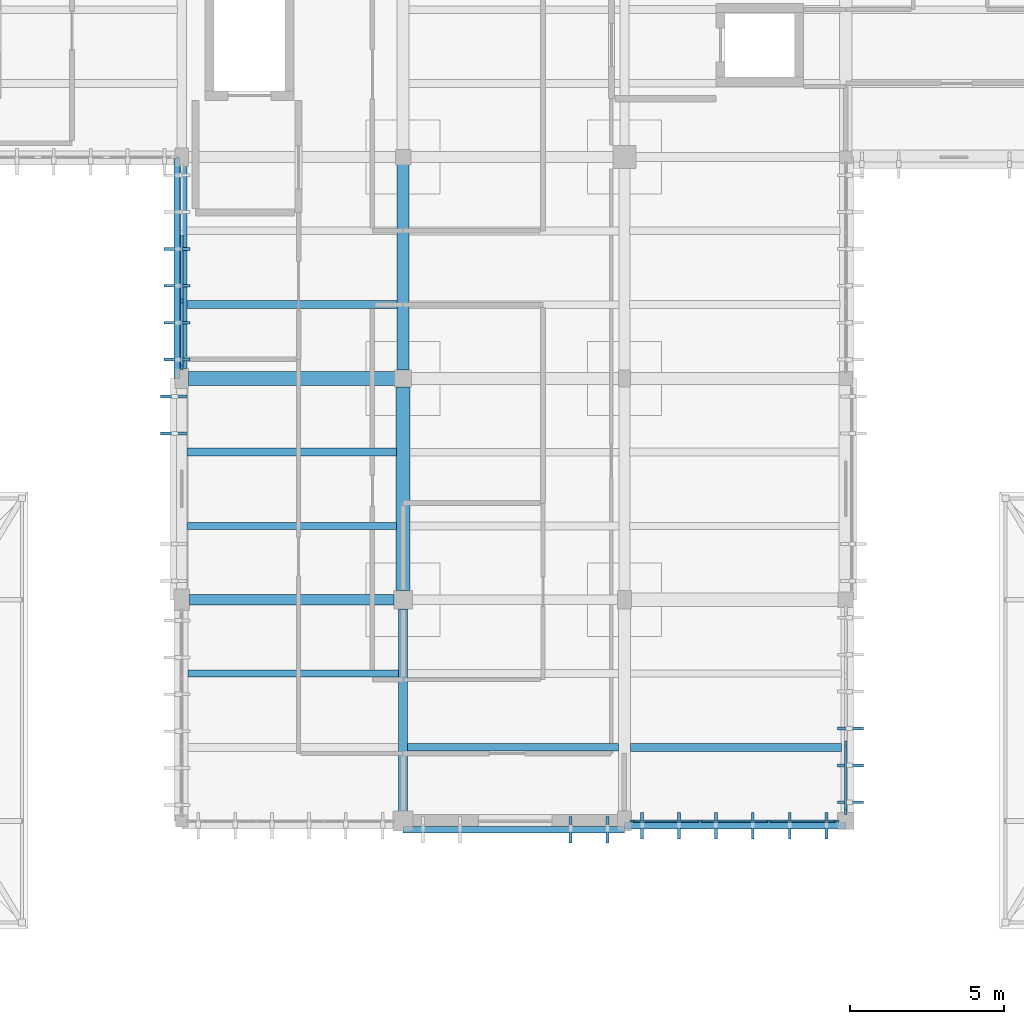
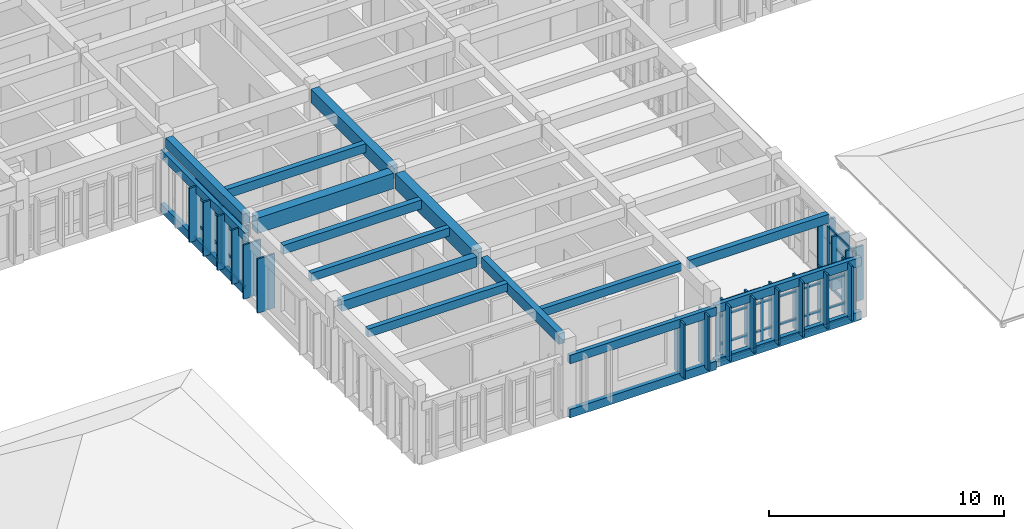
# One storey, part 6 of 51: 49 members, 18 beams, 3 elements without a shape of their own.
"""IFC4 building model written with IfcOpenShell, lengths in metres."""

from ifc_helpers import new_model, si_unit, direction, frame, origin, origin_2d, place, context, subcontext, project, spatial, rectangle, extrude, material, material_profile, profile_set, type_object, element, aggregate, save


model = new_model("IFC4")

# Units and contexts
model_context = context("Model", 3, precision=1e-05, world=origin(), true_north=direction((0.0, 1.0)))
body_context = subcontext(model_context, "Body", "Model", "MODEL_VIEW")
ifc_project = project(units=[si_unit("LENGTHUNIT", "METRE"), si_unit("AREAUNIT", "SQUARE_METRE"), si_unit("VOLUMEUNIT", "CUBIC_METRE"), si_unit("PLANEANGLEUNIT", "RADIAN"), si_unit("MASSUNIT", "GRAM", prefix="KILO")], contexts=[model_context])

# Site, building, storey
site_placement = place(None, origin())
site = spatial("IfcSite", under=ifc_project, at=site_placement, CompositionType="ELEMENT")
building_placement = place(site_placement, origin())
building = spatial("IfcBuilding", under=site, at=building_placement, Name="Steenspoor Specialist Clinic", CompositionType="ELEMENT")
storey_placement = place(building_placement, frame((0.0, 0.0, 17.39990234375)))
storey = spatial("IfcBuildingStorey", under=building, at=storey_placement, Name="L04", CompositionType="ELEMENT", Elevation=17.39990234375)

# Beams
ifc_material_1 = material(Name="Glulam GL28h", Category="wood")
ifc_material_profile_1 = material_profile(ifc_material_1, rectangle(XDim=0.199951171875, YDim=0.43994140625, at=origin_2d()), Name="GL28H-200X440")
ifc_profile_set_1 = profile_set([ifc_material_profile_1], Name="Glulam GL28h")
beam_type_1 = type_object("IfcBeamType", Name="BM-GL-200X440", PredefinedType="BEAM", material=ifc_profile_set_1)
for number, where, z_axis, x_axis, name in (
    (1, (95.60009765625, 72.199951171875, 0.14013671875), (-1.0, 0.0, 0.0), (0.0, -1.0, 0.0), "Timber Screen Tie Rail V4 L04 1"),
    (2, (95.60009765625, 72.199951171875, 2.9501953125), (-1.0, 0.0, 0.0), (0.0, -1.0, 0.0), "Timber Screen Tie Rail V4 L04 2"),
):
    element("IfcBeam", number, at=place(storey_placement, frame(where, z_axis=z_axis, x_axis=x_axis)), inside=storey, type_object=beam_type_1, Name=name, PredefinedType="BEAM", context=body_context, shape_type="SweptSolid", body=[
        extrude(rectangle(XDim=0.199951171875, YDim=0.43994140625, at=origin_2d()), origin(), (0.0, 0.0, 1.0), 7.2001953125),
    ])
for number, where, z_axis, x_axis, name in (
    (3, (88.39990234375, 72.070068359375, 0.14013671875), (-1.0, 0.0, 0.0), (0.0, -1.0, 0.0), "Timber Screen Tie Rail V4 L04 9"),
    (4, (88.39990234375, 72.070068359375, 2.9501953125), (-1.0, 0.0, 0.0), (0.0, -1.0, 0.0), "Timber Screen Tie Rail V4 L04 10"),
    (5, (73.85009765625, 86.75, 0.14013671875), (0.0, 1.0, 0.0), (-1.0, 0.0, 0.0), "Timber Screen Tie Rail V4 L04 37"),
    (6, (73.85009765625, 86.75, 2.9501953125), (0.0, 1.0, 0.0), (-1.0, 0.0, 0.0), "Timber Screen Tie Rail V4 L04 38"),
):
    element("IfcBeam", number, at=place(storey_placement, frame(where, z_axis=z_axis, x_axis=x_axis)), inside=storey, type_object=beam_type_1, Name=name, PredefinedType="BEAM", context=body_context, shape_type="SweptSolid", body=[
        extrude(rectangle(XDim=0.199951171875, YDim=0.43994140625, at=origin_2d()), origin(), (0.0, 0.0, 1.0), 7.199951171875),
    ])
ifc_material_2 = material(Name="Concrete C35/45", Category="concrete")
ifc_material_profile_2 = material_profile(ifc_material_2, rectangle(XDim=0.300048828125, YDim=0.550048828125, at=origin_2d()), Name="RC-BM-300X550")
ifc_profile_set_2 = profile_set([ifc_material_profile_2], Name="Concrete C35/45")
beam_type_2 = type_object("IfcBeamType", Name="BM-RC-300X550", PredefinedType="BEAM", material=ifc_profile_set_2)
beam_1_placement = place(storey_placement, frame((81.199951171875, 72.669921875, 3.64501953125), z_axis=(0.0, 1.0, 0.0), x_axis=(-1.0, 0.0, 0.0)))
element("IfcBeam", 7, at=beam_1_placement, inside=storey, type_object=beam_type_2, Name="BM-V4-L04-Y0947", PredefinedType="BEAM", context=body_context, shape_type="SweptSolid", body=[
    extrude(rectangle(XDim=0.300048828125, YDim=0.550048828125, at=origin_2d()), origin(), (0.0, 0.0, 1.0), 6.5849609375),
])
ifc_material_profile_3 = material_profile(ifc_material_2, rectangle(XDim=0.35009765625, YDim=0.52001953125, at=origin_2d()), Name="RC-BM-350X520")
ifc_profile_set_3 = profile_set([ifc_material_profile_3], Name="Concrete C35/45")
beam_type_3 = type_object("IfcBeamType", Name="BM-RC-350X520", PredefinedType="BEAM", material=ifc_profile_set_3)
beam_2_placement = place(storey_placement, frame((74.2451171875, 79.550048828125, 3.66015625), z_axis=(1.0, 0.0, 0.0), x_axis=(0.0, 1.0, 0.0)))
element("IfcBeam", 8, at=beam_2_placement, inside=storey, type_object=beam_type_3, Name="BM-V4-L04-X0914", PredefinedType="BEAM", context=body_context, shape_type="SweptSolid", body=[
    extrude(rectangle(XDim=0.35009765625, YDim=0.52001953125, at=origin_2d()), origin(), (0.0, 0.0, 1.0), 6.659912109375),
])
beam_3_placement = place(storey_placement, frame((74.0, 87.070068359375, 3.66015625), z_axis=(0.0, 1.0, 0.0), x_axis=(-1.0, 0.0, 0.0)))
element("IfcBeam", 9, at=beam_3_placement, inside=storey, type_object=beam_type_3, Name="BM-V4-L04-Y0944", PredefinedType="BEAM", context=body_context, shape_type="SweptSolid", body=[
    extrude(rectangle(XDim=0.35009765625, YDim=0.52001953125, at=origin_2d()), origin(), (0.0, 0.0, 1.0), 6.5849609375),
])
ifc_material_profile_4 = material_profile(ifc_material_2, rectangle(XDim=0.39990234375, YDim=0.699951171875, at=origin_2d()), Name="RC-BM-400X700")
ifc_profile_set_4 = profile_set([ifc_material_profile_4], Name="Concrete C35/45")
beam_type_4 = type_object("IfcBeamType", Name="BM-RC-400X700", PredefinedType="BEAM", material=ifc_profile_set_4)
beam_4_placement = place(storey_placement, frame((81.199951171875, 87.02001953125, 3.570068359375), z_axis=(0.0, 1.0, 0.0), x_axis=(-1.0, 0.0, 0.0)))
element("IfcBeam", 10, at=beam_4_placement, inside=storey, type_object=beam_type_4, Name="BM-V4-L04-Y0949", PredefinedType="BEAM", context=body_context, shape_type="SweptSolid", body=[
    extrude(rectangle(XDim=0.39990234375, YDim=0.699951171875, at=origin_2d()), origin(), (0.0, 0.0, 1.0), 6.68505859375),
])
ifc_material_profile_5 = material_profile(ifc_material_2, rectangle(XDim=0.449951171875, YDim=0.800048828125, at=origin_2d()), Name="RC-BM-450X800")
ifc_profile_set_5 = profile_set([ifc_material_profile_5], Name="Concrete C35/45")
beam_type_5 = type_object("IfcBeamType", Name="BM-RC-450X800", PredefinedType="BEAM", material=ifc_profile_set_5)
beam_5_placement = place(storey_placement, frame((74.219970703125, 86.75, 3.52001953125), z_axis=(1.0, 0.0, 0.0), x_axis=(0.0, 1.0, 0.0)))
element("IfcBeam", 11, at=beam_5_placement, inside=storey, type_object=beam_type_5, Name="BM-V4-L04-X0917", PredefinedType="BEAM", context=body_context, shape_type="SweptSolid", body=[
    extrude(rectangle(XDim=0.449951171875, YDim=0.800048828125, at=origin_2d()), origin(), (0.0, 0.0, 1.0), 6.7099609375),
])
beam_6_placement = place(storey_placement, frame((81.199951171875, 79.844970703125, 3.52001953125), z_axis=(0.0, 1.0, 0.0), x_axis=(-1.0, 0.0, 0.0)))
element("IfcBeam", 12, at=beam_6_placement, inside=storey, type_object=beam_type_5, Name="BM-V4-L04-Y0948", PredefinedType="BEAM", context=body_context, shape_type="SweptSolid", body=[
    extrude(rectangle(XDim=0.449951171875, YDim=0.800048828125, at=origin_2d()), origin(), (0.0, 0.0, 1.0), 6.635009765625),
])

# Curtain wall, members
ifc_material_3 = material(Name="Thermally broken aluminium and low-emissivity glass", Category="aluminium")
curtain_wall_type_1 = type_object("IfcCurtainWallType", Name="CW-HALL-650X820", PredefinedType="USERDEFINED", material=ifc_material_3)
curtain_wall_1_placement = place(storey_placement, origin())
curtain_wall_1 = element("IfcCurtainWall", 13, at=curtain_wall_1_placement, inside=storey, type_object=curtain_wall_type_1, Name="Unitised Curtain Wall CW-V4-L04-122", ObjectType="UNITISED GLAZING", PredefinedType="USERDEFINED")
ifc_material_4 = material(Name="Thermally broken aluminium 6063-T6", Category="aluminium")
ifc_material_profile_6 = material_profile(ifc_material_4, rectangle(XDim=0.070068359375, YDim=0.1650390625, at=origin_2d()), Name="CWM-70X165")
ifc_profile_set_6 = profile_set([ifc_material_profile_6], Name="Thermally broken aluminium 6063-T6")
member_type_1 = type_object("IfcMemberType", Name="CW-MULL-70X165", PredefinedType="MULLION", material=ifc_profile_set_6)
member_1_placement = place(storey_placement, frame((95.2900390625, 72.35009765625, 0.0), z_axis=(0.0, 0.0, 1.0), x_axis=(0.0, -1.0, 0.0)))
member_1 = element("IfcMember", 14, at=member_1_placement, type_object=member_type_1, Name="CW-02 mullion 1", PredefinedType="MULLION", context=body_context, shape_type="SweptSolid", body=[
    extrude(rectangle(XDim=0.070068359375, YDim=0.1650390625, at=origin_2d()), origin(), (0.0, 0.0, 1.0), 3.10009765625),
])
member_2_placement = place(storey_placement, frame((93.091552734375, 72.35009765625, 0.0), z_axis=(0.0, 0.0, 1.0), x_axis=(0.0, -1.0, 0.0)))
member_2 = element("IfcMember", 15, at=member_2_placement, type_object=member_type_1, Name="CW-02 mullion 2", PredefinedType="MULLION", context=body_context, shape_type="SweptSolid", body=[
    extrude(rectangle(XDim=0.070068359375, YDim=0.1650390625, at=origin_2d()), origin(), (0.0, 0.0, 1.0), 3.10009765625),
])
member_3_placement = place(storey_placement, frame((90.8583984375, 72.35009765625, 0.0), z_axis=(0.0, 0.0, 1.0), x_axis=(0.0, -1.0, 0.0)))
member_3 = element("IfcMember", 16, at=member_3_placement, type_object=member_type_1, Name="CW-02 mullion 3", PredefinedType="MULLION", context=body_context, shape_type="SweptSolid", body=[
    extrude(rectangle(XDim=0.070068359375, YDim=0.1650390625, at=origin_2d()), origin(), (0.0, 0.0, 1.0), 3.10009765625),
])
member_4_placement = place(storey_placement, frame((88.659912109375, 72.35009765625, 0.0), z_axis=(0.0, 0.0, 1.0), x_axis=(0.0, -1.0, 0.0)))
member_4 = element("IfcMember", 17, at=member_4_placement, type_object=member_type_1, Name="CW-02 mullion 4", PredefinedType="MULLION", context=body_context, shape_type="SweptSolid", body=[
    extrude(rectangle(XDim=0.070068359375, YDim=0.1650390625, at=origin_2d()), origin(), (0.0, 0.0, 1.0), 3.10009765625),
])

curtain_wall_type_2 = type_object("IfcCurtainWallType", Name="CW-L00-650X415", PredefinedType="USERDEFINED", material=ifc_material_3)
curtain_wall_2_placement = place(storey_placement, origin())
curtain_wall_2 = element("IfcCurtainWall", 18, at=curtain_wall_2_placement, inside=storey, type_object=curtain_wall_type_2, Name="Unitised Curtain Wall CW-V4-L04-125", ObjectType="UNITISED GLAZING", PredefinedType="USERDEFINED")
ifc_material_profile_7 = material_profile(ifc_material_4, rectangle(XDim=0.090087890625, YDim=0.199951171875, at=origin_2d()), Name="CWM-90X200")
ifc_profile_set_7 = profile_set([ifc_material_profile_7], Name="Thermally broken aluminium 6063-T6")
member_type_2 = type_object("IfcMemberType", Name="CW-MULL-90X200", PredefinedType="MULLION", material=ifc_profile_set_7)
member_5_placement = place(storey_placement, frame((74.0, 87.1201171875, 0.0), z_axis=(0.0, 0.0, 1.0), x_axis=(-1.0, 0.0, 0.0)))
member_5 = element("IfcMember", 19, at=member_5_placement, type_object=member_type_2, Name="CW-05 mullion 1", PredefinedType="MULLION", context=body_context, shape_type="SweptSolid", body=[
    extrude(rectangle(XDim=0.090087890625, YDim=0.199951171875, at=origin_2d()), origin(), (0.0, 0.0, 1.0), 3.10009765625),
])
member_6_placement = place(storey_placement, frame((74.0, 89.2666015625, 0.0), z_axis=(0.0, 0.0, 1.0), x_axis=(-1.0, 0.0, 0.0)))
member_6 = element("IfcMember", 20, at=member_6_placement, type_object=member_type_2, Name="CW-05 mullion 2", PredefinedType="MULLION", context=body_context, shape_type="SweptSolid", body=[
    extrude(rectangle(XDim=0.090087890625, YDim=0.199951171875, at=origin_2d()), origin(), (0.0, 0.0, 1.0), 3.10009765625),
])

curtain_wall_type_3 = type_object("IfcCurtainWallType", Name="CW-TYP-540X355", PredefinedType="USERDEFINED", material=ifc_material_3)
curtain_wall_3_placement = place(storey_placement, origin())
curtain_wall_3 = element("IfcCurtainWall", 21, at=curtain_wall_3_placement, inside=storey, type_object=curtain_wall_type_3, Name="Unitised Curtain Wall CW-V4-L04-131", ObjectType="UNITISED GLAZING", PredefinedType="USERDEFINED")
member_7_placement = place(storey_placement, frame((95.60009765625, 74.85009765625, 0.0), z_axis=(0.0, 0.0, 1.0), x_axis=(1.0, 0.0, 0.0)))
member_7 = element("IfcMember", 22, at=member_7_placement, type_object=member_type_2, Name="CW-11 mullion 3", PredefinedType="MULLION", context=body_context, shape_type="SweptSolid", body=[
    extrude(rectangle(XDim=0.090087890625, YDim=0.199951171875, at=origin_2d()), origin(), (0.0, 0.0, 1.0), 3.10009765625),
])
member_8_placement = place(storey_placement, frame((95.60009765625, 72.669921875, 0.0), z_axis=(0.0, 0.0, 1.0), x_axis=(1.0, 0.0, 0.0)))
member_8 = element("IfcMember", 23, at=member_8_placement, type_object=member_type_2, Name="CW-11 mullion 4", PredefinedType="MULLION", context=body_context, shape_type="SweptSolid", body=[
    extrude(rectangle(XDim=0.090087890625, YDim=0.199951171875, at=origin_2d()), origin(), (0.0, 0.0, 1.0), 3.10009765625),
])

# Member
ifc_material_profile_8 = material_profile(ifc_material_4, rectangle(XDim=0.06494140625, YDim=0.1298828125, at=origin_2d()), Name="CWT-65X130")
ifc_profile_set_8 = profile_set([ifc_material_profile_8], Name="Thermally broken aluminium 6063-T6")
member_type_3 = type_object("IfcMemberType", Name="CW-TRAN-65X130", PredefinedType="USERDEFINED", material=ifc_profile_set_8)
member_9_placement = place(storey_placement, frame((95.2548828125, 72.35009765625, 0.03271484375), z_axis=(-1.0, 0.0, 0.0), x_axis=(0.0, -1.0, 0.0)))
member_9 = element("IfcMember", 24, at=member_9_placement, type_object=member_type_3, Name="CW-02 transom 1.1", ObjectType="TRANSOM", PredefinedType="USERDEFINED", context=body_context, shape_type="SweptSolid", body=[
    extrude(rectangle(XDim=0.06494140625, YDim=0.1298828125, at=origin_2d()), origin(), (0.0, 0.0, 1.0), 2.128173828125),
])

member_10_placement = place(storey_placement, frame((95.2548828125, 72.35009765625, 0.900146484375), z_axis=(-1.0, 0.0, 0.0), x_axis=(0.0, -1.0, 0.0)))
member_10 = element("IfcMember", 25, at=member_10_placement, type_object=member_type_3, Name="CW-02 transom 1.2", ObjectType="TRANSOM", PredefinedType="USERDEFINED", context=body_context, shape_type="SweptSolid", body=[
    extrude(rectangle(XDim=0.06494140625, YDim=0.1298828125, at=origin_2d()), origin(), (0.0, 0.0, 1.0), 2.128173828125),
])

member_11_placement = place(storey_placement, frame((95.2548828125, 72.35009765625, 2.35009765625), z_axis=(-1.0, 0.0, 0.0), x_axis=(0.0, -1.0, 0.0)))
member_11 = element("IfcMember", 26, at=member_11_placement, type_object=member_type_3, Name="CW-02 transom 1.3", ObjectType="TRANSOM", PredefinedType="USERDEFINED", context=body_context, shape_type="SweptSolid", body=[
    extrude(rectangle(XDim=0.06494140625, YDim=0.1298828125, at=origin_2d()), origin(), (0.0, 0.0, 1.0), 2.128173828125),
])

member_12_placement = place(storey_placement, frame((95.2548828125, 72.35009765625, 3.067626953125), z_axis=(-1.0, 0.0, 0.0), x_axis=(0.0, -1.0, 0.0)))
member_12 = element("IfcMember", 27, at=member_12_placement, type_object=member_type_3, Name="CW-02 transom 1.4", ObjectType="TRANSOM", PredefinedType="USERDEFINED", context=body_context, shape_type="SweptSolid", body=[
    extrude(rectangle(XDim=0.06494140625, YDim=0.1298828125, at=origin_2d()), origin(), (0.0, 0.0, 1.0), 2.128173828125),
])

member_13_placement = place(storey_placement, frame((93.056640625, 72.35009765625, 0.03271484375), z_axis=(-1.0, 0.0, 0.0), x_axis=(0.0, -1.0, 0.0)))
member_13 = element("IfcMember", 28, at=member_13_placement, type_object=member_type_3, Name="CW-02 transom 2.1", ObjectType="TRANSOM", PredefinedType="USERDEFINED", context=body_context, shape_type="SweptSolid", body=[
    extrude(rectangle(XDim=0.06494140625, YDim=0.1298828125, at=origin_2d()), origin(), (0.0, 0.0, 1.0), 2.163330078125),
])

member_14_placement = place(storey_placement, frame((93.056640625, 72.35009765625, 0.900146484375), z_axis=(-1.0, 0.0, 0.0), x_axis=(0.0, -1.0, 0.0)))
member_14 = element("IfcMember", 29, at=member_14_placement, type_object=member_type_3, Name="CW-02 transom 2.2", ObjectType="TRANSOM", PredefinedType="USERDEFINED", context=body_context, shape_type="SweptSolid", body=[
    extrude(rectangle(XDim=0.06494140625, YDim=0.1298828125, at=origin_2d()), origin(), (0.0, 0.0, 1.0), 2.163330078125),
])

member_15_placement = place(storey_placement, frame((93.056640625, 72.35009765625, 2.35009765625), z_axis=(-1.0, 0.0, 0.0), x_axis=(0.0, -1.0, 0.0)))
member_15 = element("IfcMember", 30, at=member_15_placement, type_object=member_type_3, Name="CW-02 transom 2.3", ObjectType="TRANSOM", PredefinedType="USERDEFINED", context=body_context, shape_type="SweptSolid", body=[
    extrude(rectangle(XDim=0.06494140625, YDim=0.1298828125, at=origin_2d()), origin(), (0.0, 0.0, 1.0), 2.163330078125),
])

member_16_placement = place(storey_placement, frame((93.056640625, 72.35009765625, 3.067626953125), z_axis=(-1.0, 0.0, 0.0), x_axis=(0.0, -1.0, 0.0)))
member_16 = element("IfcMember", 31, at=member_16_placement, type_object=member_type_3, Name="CW-02 transom 2.4", ObjectType="TRANSOM", PredefinedType="USERDEFINED", context=body_context, shape_type="SweptSolid", body=[
    extrude(rectangle(XDim=0.06494140625, YDim=0.1298828125, at=origin_2d()), origin(), (0.0, 0.0, 1.0), 2.163330078125),
])

member_17_placement = place(storey_placement, frame((90.8232421875, 72.35009765625, 0.03271484375), z_axis=(-1.0, 0.0, 0.0), x_axis=(0.0, -1.0, 0.0)))
member_17 = element("IfcMember", 32, at=member_17_placement, type_object=member_type_3, Name="CW-02 transom 3.1", ObjectType="TRANSOM", PredefinedType="USERDEFINED", context=body_context, shape_type="SweptSolid", body=[
    extrude(rectangle(XDim=0.06494140625, YDim=0.1298828125, at=origin_2d()), origin(), (0.0, 0.0, 1.0), 2.128173828125),
])

member_18_placement = place(storey_placement, frame((90.8232421875, 72.35009765625, 0.900146484375), z_axis=(-1.0, 0.0, 0.0), x_axis=(0.0, -1.0, 0.0)))
member_18 = element("IfcMember", 33, at=member_18_placement, type_object=member_type_3, Name="CW-02 transom 3.2", ObjectType="TRANSOM", PredefinedType="USERDEFINED", context=body_context, shape_type="SweptSolid", body=[
    extrude(rectangle(XDim=0.06494140625, YDim=0.1298828125, at=origin_2d()), origin(), (0.0, 0.0, 1.0), 2.128173828125),
])

member_19_placement = place(storey_placement, frame((90.8232421875, 72.35009765625, 2.35009765625), z_axis=(-1.0, 0.0, 0.0), x_axis=(0.0, -1.0, 0.0)))
member_19 = element("IfcMember", 34, at=member_19_placement, type_object=member_type_3, Name="CW-02 transom 3.3", ObjectType="TRANSOM", PredefinedType="USERDEFINED", context=body_context, shape_type="SweptSolid", body=[
    extrude(rectangle(XDim=0.06494140625, YDim=0.1298828125, at=origin_2d()), origin(), (0.0, 0.0, 1.0), 2.128173828125),
])

member_20_placement = place(storey_placement, frame((90.8232421875, 72.35009765625, 3.067626953125), z_axis=(-1.0, 0.0, 0.0), x_axis=(0.0, -1.0, 0.0)))
member_20 = element("IfcMember", 35, at=member_20_placement, type_object=member_type_3, Name="CW-02 transom 3.4", ObjectType="TRANSOM", PredefinedType="USERDEFINED", context=body_context, shape_type="SweptSolid", body=[
    extrude(rectangle(XDim=0.06494140625, YDim=0.1298828125, at=origin_2d()), origin(), (0.0, 0.0, 1.0), 2.128173828125),
])

aggregate(curtain_wall_1, [member_1, member_2, member_3, member_4, member_9, member_10, member_11, member_12, member_13, member_14, member_15, member_16, member_17, member_18, member_19, member_20])

ifc_material_profile_9 = material_profile(ifc_material_4, rectangle(XDim=0.070068359375, YDim=0.14501953125, at=origin_2d()), Name="CWT-70X145")
ifc_profile_set_9 = profile_set([ifc_material_profile_9], Name="Thermally broken aluminium 6063-T6")
member_type_4 = type_object("IfcMemberType", Name="CW-TRAN-70X145", PredefinedType="USERDEFINED", material=ifc_profile_set_9)
member_21_placement = place(storey_placement, frame((95.60009765625, 74.804931640625, 0.03515625), z_axis=(0.0, -1.0, 0.0), x_axis=(1.0, 0.0, 0.0)))
member_21 = element("IfcMember", 36, at=member_21_placement, type_object=member_type_4, Name="CW-11 transom 3.1", ObjectType="TRANSOM", PredefinedType="USERDEFINED", context=body_context, shape_type="SweptSolid", body=[
    extrude(rectangle(XDim=0.070068359375, YDim=0.14501953125, at=origin_2d()), origin(), (0.0, 0.0, 1.0), 2.08984375),
])

member_22_placement = place(storey_placement, frame((95.60009765625, 74.804931640625, 0.900146484375), z_axis=(0.0, -1.0, 0.0), x_axis=(1.0, 0.0, 0.0)))
member_22 = element("IfcMember", 37, at=member_22_placement, type_object=member_type_4, Name="CW-11 transom 3.2", ObjectType="TRANSOM", PredefinedType="USERDEFINED", context=body_context, shape_type="SweptSolid", body=[
    extrude(rectangle(XDim=0.070068359375, YDim=0.14501953125, at=origin_2d()), origin(), (0.0, 0.0, 1.0), 2.08984375),
])

member_23_placement = place(storey_placement, frame((95.60009765625, 74.804931640625, 2.35009765625), z_axis=(0.0, -1.0, 0.0), x_axis=(1.0, 0.0, 0.0)))
member_23 = element("IfcMember", 38, at=member_23_placement, type_object=member_type_4, Name="CW-11 transom 3.3", ObjectType="TRANSOM", PredefinedType="USERDEFINED", context=body_context, shape_type="SweptSolid", body=[
    extrude(rectangle(XDim=0.070068359375, YDim=0.14501953125, at=origin_2d()), origin(), (0.0, 0.0, 1.0), 2.08984375),
])

member_24_placement = place(storey_placement, frame((95.60009765625, 74.804931640625, 3.065185546875), z_axis=(0.0, -1.0, 0.0), x_axis=(1.0, 0.0, 0.0)))
member_24 = element("IfcMember", 39, at=member_24_placement, type_object=member_type_4, Name="CW-11 transom 3.4", ObjectType="TRANSOM", PredefinedType="USERDEFINED", context=body_context, shape_type="SweptSolid", body=[
    extrude(rectangle(XDim=0.070068359375, YDim=0.14501953125, at=origin_2d()), origin(), (0.0, 0.0, 1.0), 2.08984375),
])

aggregate(curtain_wall_3, [member_7, member_8, member_21, member_22, member_23, member_24])

ifc_material_profile_10 = material_profile(ifc_material_4, rectangle(XDim=0.080078125, YDim=0.159912109375, at=origin_2d()), Name="CWT-80X160")
ifc_profile_set_10 = profile_set([ifc_material_profile_10], Name="Thermally broken aluminium 6063-T6")
member_type_5 = type_object("IfcMemberType", Name="CW-TRAN-80X160", PredefinedType="USERDEFINED", material=ifc_profile_set_10)
member_25_placement = place(storey_placement, frame((74.0, 87.1650390625, 0.0400390625), z_axis=(0.0, 1.0, 0.0), x_axis=(-1.0, 0.0, 0.0)))
member_25 = element("IfcMember", 40, at=member_25_placement, type_object=member_type_5, Name="CW-05 transom 1.1", ObjectType="TRANSOM", PredefinedType="USERDEFINED", context=body_context, shape_type="SweptSolid", body=[
    extrude(rectangle(XDim=0.080078125, YDim=0.159912109375, at=origin_2d()), origin(), (0.0, 0.0, 1.0), 2.056640625),
])

member_26_placement = place(storey_placement, frame((74.0, 87.1650390625, 0.900146484375), z_axis=(0.0, 1.0, 0.0), x_axis=(-1.0, 0.0, 0.0)))
member_26 = element("IfcMember", 41, at=member_26_placement, type_object=member_type_5, Name="CW-05 transom 1.2", ObjectType="TRANSOM", PredefinedType="USERDEFINED", context=body_context, shape_type="SweptSolid", body=[
    extrude(rectangle(XDim=0.080078125, YDim=0.159912109375, at=origin_2d()), origin(), (0.0, 0.0, 1.0), 2.056640625),
])

member_27_placement = place(storey_placement, frame((74.0, 87.1650390625, 2.35009765625), z_axis=(0.0, 1.0, 0.0), x_axis=(-1.0, 0.0, 0.0)))
member_27 = element("IfcMember", 42, at=member_27_placement, type_object=member_type_5, Name="CW-05 transom 1.3", ObjectType="TRANSOM", PredefinedType="USERDEFINED", context=body_context, shape_type="SweptSolid", body=[
    extrude(rectangle(XDim=0.080078125, YDim=0.159912109375, at=origin_2d()), origin(), (0.0, 0.0, 1.0), 2.056640625),
])

member_28_placement = place(storey_placement, frame((74.0, 87.1650390625, 3.06005859375), z_axis=(0.0, 1.0, 0.0), x_axis=(-1.0, 0.0, 0.0)))
member_28 = element("IfcMember", 43, at=member_28_placement, type_object=member_type_5, Name="CW-05 transom 1.4", ObjectType="TRANSOM", PredefinedType="USERDEFINED", context=body_context, shape_type="SweptSolid", body=[
    extrude(rectangle(XDim=0.080078125, YDim=0.159912109375, at=origin_2d()), origin(), (0.0, 0.0, 1.0), 2.056640625),
])

member_29_placement = place(storey_placement, frame((74.0, 89.311767578125, 0.0400390625), z_axis=(0.0, 1.0, 0.0), x_axis=(-1.0, 0.0, 0.0)))
member_29 = element("IfcMember", 44, at=member_29_placement, type_object=member_type_5, Name="CW-05 transom 2.1", ObjectType="TRANSOM", PredefinedType="USERDEFINED", context=body_context, shape_type="SweptSolid", body=[
    extrude(rectangle(XDim=0.080078125, YDim=0.159912109375, at=origin_2d()), origin(), (0.0, 0.0, 1.0), 2.1015625),
])

member_30_placement = place(storey_placement, frame((74.0, 89.311767578125, 0.900146484375), z_axis=(0.0, 1.0, 0.0), x_axis=(-1.0, 0.0, 0.0)))
member_30 = element("IfcMember", 45, at=member_30_placement, type_object=member_type_5, Name="CW-05 transom 2.2", ObjectType="TRANSOM", PredefinedType="USERDEFINED", context=body_context, shape_type="SweptSolid", body=[
    extrude(rectangle(XDim=0.080078125, YDim=0.159912109375, at=origin_2d()), origin(), (0.0, 0.0, 1.0), 2.1015625),
])

member_31_placement = place(storey_placement, frame((74.0, 89.311767578125, 2.35009765625), z_axis=(0.0, 1.0, 0.0), x_axis=(-1.0, 0.0, 0.0)))
member_31 = element("IfcMember", 46, at=member_31_placement, type_object=member_type_5, Name="CW-05 transom 2.3", ObjectType="TRANSOM", PredefinedType="USERDEFINED", context=body_context, shape_type="SweptSolid", body=[
    extrude(rectangle(XDim=0.080078125, YDim=0.159912109375, at=origin_2d()), origin(), (0.0, 0.0, 1.0), 2.1015625),
])

member_32_placement = place(storey_placement, frame((74.0, 89.311767578125, 3.06005859375), z_axis=(0.0, 1.0, 0.0), x_axis=(-1.0, 0.0, 0.0)))
member_32 = element("IfcMember", 47, at=member_32_placement, type_object=member_type_5, Name="CW-05 transom 2.4", ObjectType="TRANSOM", PredefinedType="USERDEFINED", context=body_context, shape_type="SweptSolid", body=[
    extrude(rectangle(XDim=0.080078125, YDim=0.159912109375, at=origin_2d()), origin(), (0.0, 0.0, 1.0), 2.1015625),
])

aggregate(curtain_wall_2, [member_5, member_6, member_25, member_26, member_27, member_28, member_29, member_30, member_31, member_32])

# Beams
ifc_material_profile_11 = material_profile(ifc_material_2, rectangle(XDim=0.239990234375, YDim=0.419921875, at=origin_2d()), Name="RC-JT-240X420")
ifc_profile_set_11 = profile_set([ifc_material_profile_11], Name="Concrete C35/45")
beam_type_6 = type_object("IfcBeamType", Name="JT-RC-240X420", PredefinedType="JOIST", material=ifc_profile_set_11)
beam_7_placement = place(storey_placement, frame((74.195068359375, 77.14990234375, 3.710205078125), z_axis=(1.0, 0.0, 0.0), x_axis=(0.0, 1.0, 0.0)))
element("IfcBeam", 48, at=beam_7_placement, inside=storey, type_object=beam_type_6, Name="JT-V4-L04-0973", PredefinedType="JOIST", context=body_context, shape_type="SweptSolid", body=[
    extrude(rectangle(XDim=0.239990234375, YDim=0.419921875, at=origin_2d()), origin(), (0.0, 0.0, 1.0), 6.85986328125),
])
beam_8_placement = place(storey_placement, frame((74.169921875, 81.949951171875, 3.710205078125), z_axis=(1.0, 0.0, 0.0), x_axis=(0.0, 1.0, 0.0)))
element("IfcBeam", 49, at=beam_8_placement, inside=storey, type_object=beam_type_6, Name="JT-V4-L04-0974", PredefinedType="JOIST", context=body_context, shape_type="SweptSolid", body=[
    extrude(rectangle(XDim=0.239990234375, YDim=0.419921875, at=origin_2d()), origin(), (0.0, 0.0, 1.0), 6.81005859375),
])
beam_9_placement = place(storey_placement, frame((81.344970703125, 74.75, 3.710205078125), z_axis=(1.0, 0.0, 0.0), x_axis=(0.0, 1.0, 0.0)))
element("IfcBeam", 50, at=beam_9_placement, inside=storey, type_object=beam_type_6, Name="JT-V4-L04-0980", PredefinedType="JOIST", context=body_context, shape_type="SweptSolid", body=[
    extrude(rectangle(XDim=0.239990234375, YDim=0.419921875, at=origin_2d()), origin(), (0.0, 0.0, 1.0), 6.860107421875),
])
ifc_material_profile_12 = material_profile(ifc_material_2, rectangle(XDim=0.260009765625, YDim=0.4599609375, at=origin_2d()), Name="RC-JT-260X460")
ifc_profile_set_12 = profile_set([ifc_material_profile_12], Name="Concrete C35/45")
beam_type_7 = type_object("IfcBeamType", Name="JT-RC-260X460", PredefinedType="JOIST", material=ifc_profile_set_12)
beam_10_placement = place(storey_placement, frame((74.169921875, 84.35009765625, 3.690185546875), z_axis=(1.0, 0.0, 0.0), x_axis=(0.0, 1.0, 0.0)))
element("IfcBeam", 51, at=beam_10_placement, inside=storey, type_object=beam_type_7, Name="JT-V4-L04-0975", PredefinedType="JOIST", context=body_context, shape_type="SweptSolid", body=[
    extrude(rectangle(XDim=0.260009765625, YDim=0.4599609375, at=origin_2d()), origin(), (0.0, 0.0, 1.0), 6.81005859375),
])
beam_11_placement = place(storey_placement, frame((74.169921875, 89.14990234375, 3.690185546875), z_axis=(1.0, 0.0, 0.0), x_axis=(0.0, 1.0, 0.0)))
element("IfcBeam", 52, at=beam_11_placement, inside=storey, type_object=beam_type_7, Name="JT-V4-L04-0976", PredefinedType="JOIST", context=body_context, shape_type="SweptSolid", body=[
    extrude(rectangle(XDim=0.260009765625, YDim=0.4599609375, at=origin_2d()), origin(), (0.0, 0.0, 1.0), 6.8349609375),
])
beam_12_placement = place(storey_placement, frame((88.594970703125, 74.75, 3.690185546875), z_axis=(1.0, 0.0, 0.0), x_axis=(0.0, 1.0, 0.0)))
element("IfcBeam", 53, at=beam_12_placement, inside=storey, type_object=beam_type_7, Name="JT-V4-L04-0988", PredefinedType="JOIST", context=body_context, shape_type="SweptSolid", body=[
    extrude(rectangle(XDim=0.260009765625, YDim=0.4599609375, at=origin_2d()), origin(), (0.0, 0.0, 1.0), 6.860107421875),
])

# Members
ifc_material_profile_13 = material_profile(ifc_material_1, rectangle(XDim=0.090087890625, YDim=0.85009765625, at=origin_2d()), Name="GL28H-90X850")
ifc_profile_set_13 = profile_set([ifc_material_profile_13], Name="Glulam GL28h")
member_type_6 = type_object("IfcMemberType", Name="MEM-SCREEN-GL850", PredefinedType="STRUT", material=ifc_profile_set_13)
for number, where, z_axis, x_axis, name in (
    (54, (94.97509765625, 72.199951171875, 0.27001953125), (0.0, 0.0, 1.0), (-1.0, 0.0, 0.0), "Glulam Timber Screen Fin SCR-FIN-V4-L04-0003"),
    (55, (93.77490234375, 72.199951171875, 0.27001953125), (0.0, 0.0, 1.0), (-1.0, 0.0, 0.0), "Glulam Timber Screen Fin SCR-FIN-V4-L04-0004"),
    (56, (92.574951171875, 72.199951171875, 0.27001953125), (0.0, 0.0, 1.0), (-1.0, 0.0, 0.0), "Glulam Timber Screen Fin SCR-FIN-V4-L04-0005"),
    (57, (91.375, 72.199951171875, 0.27001953125), (0.0, 0.0, 1.0), (-1.0, 0.0, 0.0), "Glulam Timber Screen Fin SCR-FIN-V4-L04-0006"),
    (58, (90.175048828125, 72.199951171875, 0.27001953125), (0.0, 0.0, 1.0), (-1.0, 0.0, 0.0), "Glulam Timber Screen Fin SCR-FIN-V4-L04-0007"),
    (59, (88.97509765625, 72.199951171875, 0.27001953125), (0.0, 0.0, 1.0), (-1.0, 0.0, 0.0), "Glulam Timber Screen Fin SCR-FIN-V4-L04-0008"),
    (60, (87.85009765625, 72.070068359375, 0.27001953125), (0.0, 0.0, 1.0), (-1.0, 0.0, 0.0), "Glulam Timber Screen Fin SCR-FIN-V4-L04-0011"),
    (61, (86.64990234375, 72.070068359375, 0.27001953125), (0.0, 0.0, 1.0), (-1.0, 0.0, 0.0), "Glulam Timber Screen Fin SCR-FIN-V4-L04-0012"),
    (62, (73.735107421875, 84.96240234375, 0.27001953125), (0.0, 0.0, 1.0), (0.0, 1.0, 0.0), "Glulam Timber Screen Fin SCR-FIN-V4-L04-0035"),
    (63, (73.735107421875, 86.16259765625, 0.27001953125), (0.0, 0.0, 1.0), (0.0, 1.0, 0.0), "Glulam Timber Screen Fin SCR-FIN-V4-L04-0036"),
    (64, (73.85009765625, 87.362548828125, 0.27001953125), (0.0, 0.0, 1.0), (0.0, 1.0, 0.0), "Glulam Timber Screen Fin SCR-FIN-V4-L04-0039"),
    (65, (73.85009765625, 88.5625, 0.27001953125), (0.0, 0.0, 1.0), (0.0, 1.0, 0.0), "Glulam Timber Screen Fin SCR-FIN-V4-L04-0040"),
    (66, (73.85009765625, 89.762451171875, 0.27001953125), (0.0, 0.0, 1.0), (0.0, 1.0, 0.0), "Glulam Timber Screen Fin SCR-FIN-V4-L04-0041"),
    (67, (73.85009765625, 90.96240234375, 0.27001953125), (0.0, 0.0, 1.0), (0.0, 1.0, 0.0), "Glulam Timber Screen Fin SCR-FIN-V4-L04-0042"),
    (68, (95.75, 75.362548828125, 0.27001953125), (0.0, 0.0, 1.0), (0.0, -1.0, 0.0), "Glulam Timber Screen Fin SCR-FIN-V4-L04-0096"),
    (69, (95.75, 74.16259765625, 0.27001953125), (0.0, 0.0, 1.0), (0.0, -1.0, 0.0), "Glulam Timber Screen Fin SCR-FIN-V4-L04-0097"),
    (70, (95.75, 72.96240234375, 0.27001953125), (0.0, 0.0, 1.0), (0.0, -1.0, 0.0), "Glulam Timber Screen Fin SCR-FIN-V4-L04-0098"),
):
    element("IfcMember", number, at=place(storey_placement, frame(where, z_axis=z_axis, x_axis=x_axis)), inside=storey, type_object=member_type_6, Name=name, PredefinedType="STRUT", context=body_context, shape_type="SweptSolid", body=[
        extrude(rectangle(XDim=0.090087890625, YDim=0.85009765625, at=origin_2d()), origin(), (0.0, 0.0, 1.0), 2.820068359375),
    ])

save(model, "model.ifc")
